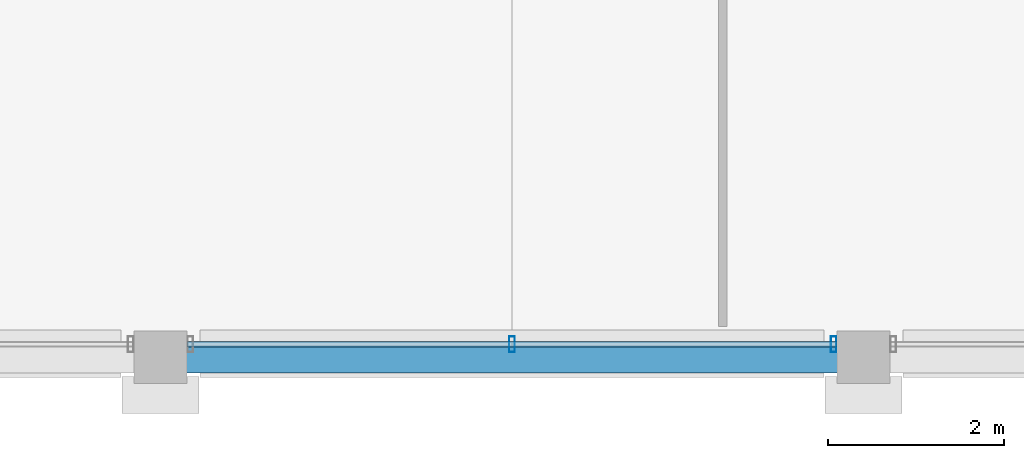
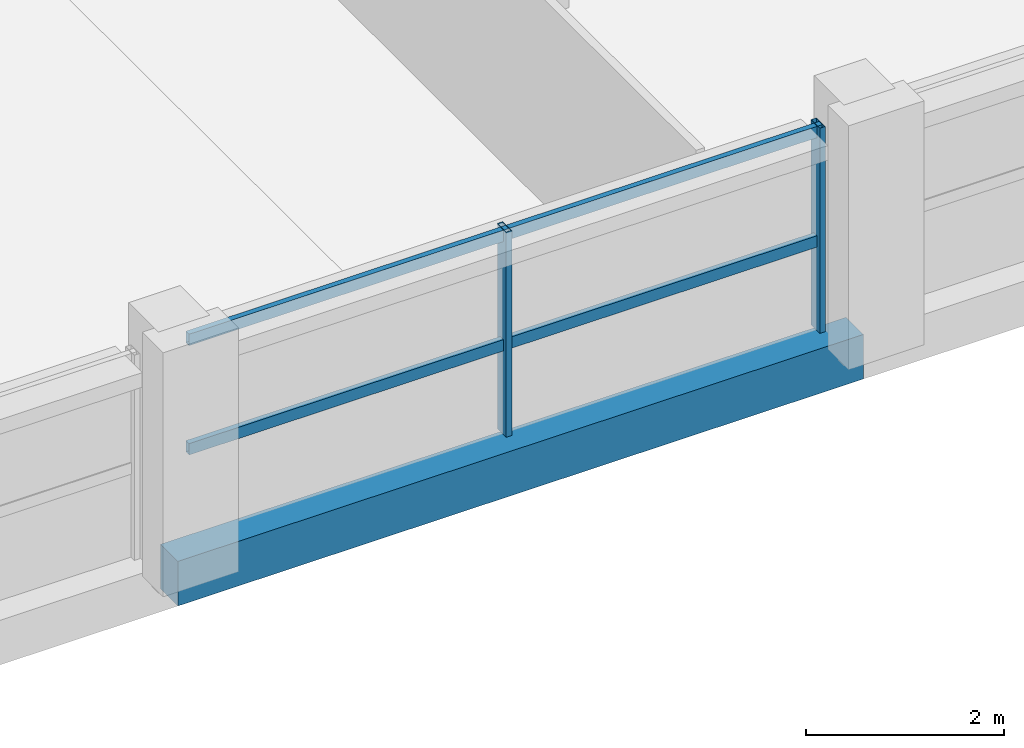
# One storey, part 6 of 24: 4 members, 1 beam, 1 element without a shape of its own.
"""IFC4 building model written with IfcOpenShell, lengths in metres."""

from ifc_helpers import new_model, si_unit, direction, frame, origin, origin_2d, place, context, subcontext, project, spatial, rectangle, hollow_rectangle, extrude, material, material_profile, profile_set, type_object, element, aggregate, save


model = new_model("IFC4")

# Units and contexts
model_context = context("Model", 3, precision=1e-05, world=origin(), true_north=direction((0.0, 1.0)))
body_context = subcontext(model_context, "Body", "Model", "MODEL_VIEW")
ifc_project = project(units=[si_unit("LENGTHUNIT", "METRE"), si_unit("AREAUNIT", "SQUARE_METRE"), si_unit("VOLUMEUNIT", "CUBIC_METRE"), si_unit("PLANEANGLEUNIT", "RADIAN"), si_unit("MASSUNIT", "GRAM", prefix="KILO")], contexts=[model_context])

# Site, building, storey
site_placement = place(None, origin())
site = spatial("IfcSite", under=ifc_project, at=site_placement, CompositionType="ELEMENT")
building_placement = place(site_placement, origin())
building = spatial("IfcBuilding", under=site, at=building_placement, Name="Akrevak Sports Hall", CompositionType="ELEMENT")
storey_placement = place(building_placement, frame((0.0, 0.0, 63.300048828125)))
storey = spatial("IfcBuildingStorey", under=building, at=storey_placement, Name="L16", CompositionType="ELEMENT", Elevation=63.300048828125)

# Curtain wall, members
ifc_material_1 = material(Name="Anodized Bronze Aluminium & Low-E Glass", Category="aluminium")
curtain_wall_type = type_object("IfcCurtainWallType", Name="ARC-CW-TWR-72x30", PredefinedType="NOTDEFINED", material=ifc_material_1)
curtain_wall_placement = place(storey_placement, origin())
curtain_wall = element("IfcCurtainWall", 1, at=curtain_wall_placement, inside=storey, type_object=curtain_wall_type, Name="Curtain Wall CW-L16-S04", PredefinedType="NOTDEFINED")
ifc_material_2 = material(Name="Anodized Bronze Aluminium", Category="aluminium")
ifc_material_profile_1 = material_profile(ifc_material_2, hollow_rectangle(XDim=0.06494140625, YDim=0.179931640625, WallThickness=0.00390625, at=origin_2d()), Name="CWM 65x180", Category="aluminium")
ifc_profile_set_1 = profile_set([ifc_material_profile_1], Name="Anodized Bronze Aluminium")
member_type_1 = type_object("IfcMemberType", Name="ARC-CWM-65x140", PredefinedType="MULLION", material=ifc_profile_set_1)
member_1_placement = place(storey_placement, frame((80.0, 35.550048828125, 0.0), z_axis=(0.0, 0.0, 1.0), x_axis=(1.0, 0.0, 0.0)))
member_1 = element("IfcMember", 2, at=member_1_placement, type_object=member_type_1, Name="Curtain Wall Mullion CW-L16-S04-M2", PredefinedType="MULLION", context=body_context, shape_type="SweptSolid", body=[
    extrude(hollow_rectangle(XDim=0.06494140625, YDim=0.179931640625, WallThickness=0.00390625, at=origin_2d()), origin(), (0.0, 0.0, 1.0), 2.530029296875),
])
member_2_placement = place(storey_placement, frame((83.659912109375, 35.550048828125, 0.0), z_axis=(0.0, 0.0, 1.0), x_axis=(1.0, 0.0, 0.0)))
member_2 = element("IfcMember", 3, at=member_2_placement, type_object=member_type_1, Name="Curtain Wall Mullion CW-L16-S04-M3", PredefinedType="MULLION", context=body_context, shape_type="SweptSolid", body=[
    extrude(hollow_rectangle(XDim=0.06494140625, YDim=0.179931640625, WallThickness=0.00390625, at=origin_2d()), origin(), (0.0, 0.0, 1.0), 2.530029296875),
])
ifc_material_profile_2 = material_profile(ifc_material_2, hollow_rectangle(XDim=0.06494140625, YDim=0.139892578125, WallThickness=0.00390625, at=origin_2d()), Name="CWT 65x140", Category="aluminium")
ifc_profile_set_2 = profile_set([ifc_material_profile_2], Name="Anodized Bronze Aluminium")
member_type_2 = type_object("IfcMemberType", Name="ARC-CWT-65x110", PredefinedType="USERDEFINED", material=ifc_profile_set_2)
member_3_placement = place(storey_placement, frame((76.300048828125, 35.550048828125, 1.099853515625), z_axis=(1.0, 0.0, 0.0), x_axis=(0.0, 1.0, 0.0)))
member_3 = element("IfcMember", 4, at=member_3_placement, type_object=member_type_2, Name="Curtain Wall Transom CW-L16-S04-T1", ObjectType="TRANSOM", PredefinedType="USERDEFINED", context=body_context, shape_type="SweptSolid", body=[
    extrude(hollow_rectangle(XDim=0.06494140625, YDim=0.139892578125, WallThickness=0.00390625, at=origin_2d()), origin(), (0.0, 0.0, 1.0), 7.39990234375),
])
member_4_placement = place(storey_placement, frame((76.300048828125, 35.550048828125, 2.449951171875), z_axis=(1.0, 0.0, 0.0), x_axis=(0.0, 1.0, 0.0)))
member_4 = element("IfcMember", 5, at=member_4_placement, type_object=member_type_2, Name="Curtain Wall Transom CW-L16-S04-T2", ObjectType="TRANSOM", PredefinedType="USERDEFINED", context=body_context, shape_type="SweptSolid", body=[
    extrude(hollow_rectangle(XDim=0.06494140625, YDim=0.139892578125, WallThickness=0.00390625, at=origin_2d()), origin(), (0.0, 0.0, 1.0), 7.39990234375),
])
aggregate(curtain_wall, [member_1, member_2, member_3, member_4])

# Beam
ifc_material_3 = material(Name="Concrete C40/50", Category="concrete")
ifc_material_profile_3 = material_profile(ifc_material_3, rectangle(XDim=0.35009765625, YDim=0.550048828125, at=origin_2d()), Name="BM 350x550", Category="concrete")
ifc_profile_set_3 = profile_set([ifc_material_profile_3], Name="Concrete C40/50")
beam_type = type_object("IfcBeamType", Name="STR-BM-RC350x550", PredefinedType="BEAM", material=ifc_profile_set_3)
beam_placement = place(storey_placement, frame((76.0, 35.39990234375, -0.275146484375), z_axis=(1.0, 0.0, 0.0), x_axis=(0.0, 1.0, 0.0)))
element("IfcBeam", 6, at=beam_placement, inside=storey, type_object=beam_type, Name="Girder F/11-12 (L16)", PredefinedType="BEAM", context=body_context, shape_type="SweptSolid", body=[
    extrude(rectangle(XDim=0.35009765625, YDim=0.550048828125, at=origin_2d()), origin(), (0.0, 0.0, 1.0), 8.0),
])

save(model, "model.ifc")
